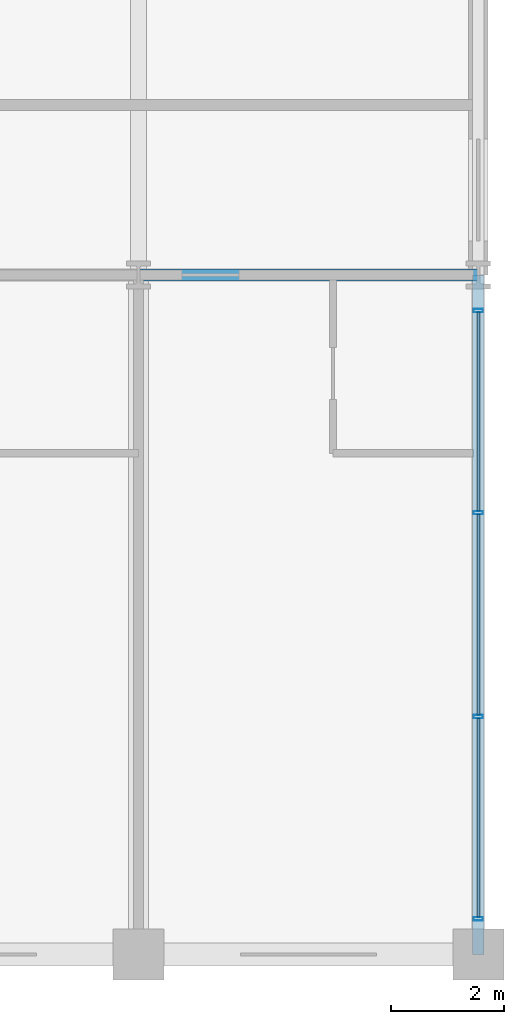
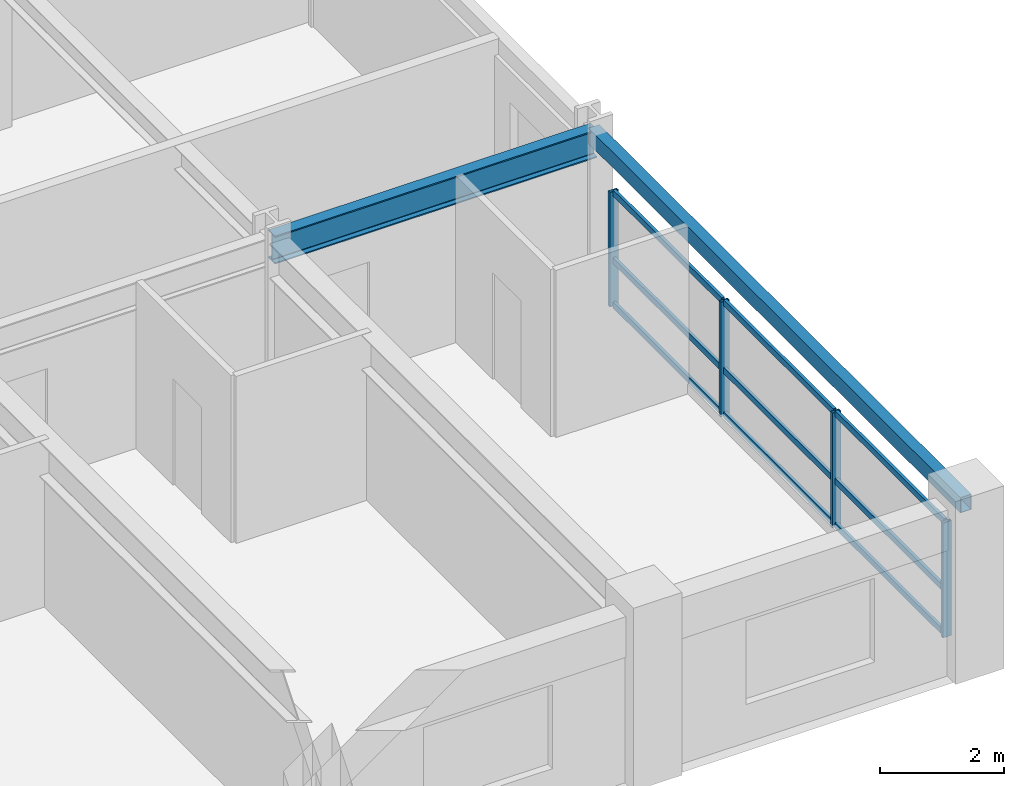
# One storey, part 12 of 22: 13 members, 2 beams, 1 element without a shape of its own.
"""IFC4 building model written with IfcOpenShell, lengths in metres."""

import ifcopenshell
import ifcopenshell.guid

model = None  # the IFC model being written
_history = None  # IfcOwnerHistory: only IFC2X3 demands one
_inside = {}  # id of a spatial element -> (the spatial element, [elements in it])
_under = {}  # id of a project, library or spatial element -> (it, [spatial elements below it])
_declared = {}  # id of a project -> (the project, [libraries it declares])
_typed = {}  # id of a type object -> (the type object, [elements of that type])
_made_of = {}  # id of a material, layer set ... -> (it, [elements and type objects made of it])


def new_model(schema):
    """Start an empty IFC model of exactly this schema.

    Asked for "IFC4X3", IfcOpenShell would pick the latest addendum, in which some entities
    have other attributes; the version numbers below select the first issue.
    IFC2X3 requires an IfcOwnerHistory on every rooted entity: one is made here for all.
    """
    global model, _history
    if schema == "IFC4X3":
        model = ifcopenshell.file(schema_version=(4, 3, 0, 0))
    else:
        model = ifcopenshell.file(schema=schema)
    _inside.clear()
    _under.clear()
    _declared.clear()
    _typed.clear()
    _made_of.clear()
    _history = None
    if model.schema == "IFC2X3":
        org = make("IfcOrganization", Name="unknown")
        user = make(
            "IfcPersonAndOrganization",
            ThePerson=make("IfcPerson", FamilyName="unknown"),
            TheOrganization=org,
        )
        app = make(
            "IfcApplication",
            ApplicationDeveloper=org,
            Version="unknown",
            ApplicationFullName="unknown",
            ApplicationIdentifier="unknown",
        )
        _history = make(
            "IfcOwnerHistory",
            OwningUser=user,
            OwningApplication=app,
            ChangeAction="ADDED",
            CreationDate=0,
        )
    return model


def make(cls, **values):
    """One entity of the class cls with the attributes given. An attribute that is None is left unset."""
    return model.create_entity(
        cls, **{name: value for name, value in values.items() if value is not None}
    )


def rooted(cls, **values):
    """An entity with a GlobalId (a new one), such as an element, a storey or a relation."""
    return make(cls, GlobalId=ifcopenshell.guid.new(), OwnerHistory=_history, **values)


def si_unit(unit_type, name, prefix=None):
    """IfcSIUnit, for example si_unit("LENGTHUNIT", "METRE", prefix="MILLI")."""
    return make("IfcSIUnit", UnitType=unit_type, Prefix=prefix, Name=name)


def assignment(units):
    """IfcUnitAssignment: the units of a project."""
    return None if units is None else make("IfcUnitAssignment", Units=units)


def point(xyz):
    """IfcCartesianPoint."""
    return None if xyz is None else make("IfcCartesianPoint", Coordinates=xyz)


def direction(xyz):
    """IfcDirection."""
    return None if xyz is None else make("IfcDirection", DirectionRatios=xyz)


def frame(location, z_axis=None, x_axis=None):
    """IfcAxis2Placement3D, a coordinate frame: its origin and axes. An axis left out is left unset."""
    return make(
        "IfcAxis2Placement3D",
        Location=point(location),
        Axis=direction(z_axis),
        RefDirection=direction(x_axis),
    )


def frame_2d(location, x_axis=None):
    """IfcAxis2Placement2D, a coordinate frame in the plane: its origin and x axis."""
    return make(
        "IfcAxis2Placement2D", Location=point(location), RefDirection=direction(x_axis)
    )


def origin():
    """The frame at (0, 0, 0) with its axes left unset."""
    return frame((0.0, 0.0, 0.0))


def origin_2d():
    """The frame at (0, 0) in the plane with its x axis left unset."""
    return frame_2d((0.0, 0.0))


def place(relative_to, where):
    """IfcLocalPlacement: puts the frame where relative to a parent placement (None: the world)."""
    return make(
        "IfcLocalPlacement", PlacementRelTo=relative_to, RelativePlacement=where
    )


def context(
    kind, dimensions, precision=None, world=None, true_north=None, identifier=None
):
    """IfcGeometricRepresentationContext, for example the 3D "Model" context."""
    return make(
        "IfcGeometricRepresentationContext",
        ContextIdentifier=identifier,
        ContextType=kind,
        CoordinateSpaceDimension=dimensions,
        Precision=precision,
        WorldCoordinateSystem=world,
        TrueNorth=true_north,
    )


def subcontext(parent, identifier, kind, view, scale=None):
    """IfcGeometricRepresentationSubContext, for example "Body" below "Model"."""
    return make(
        "IfcGeometricRepresentationSubContext",
        ContextIdentifier=identifier,
        ContextType=kind,
        ParentContext=parent,
        TargetScale=scale,
        TargetView=view,
    )


def project(units=None, contexts=None):
    """IfcProject with its units and contexts."""
    return rooted(
        "IfcProject",
        Name="project",
        RepresentationContexts=contexts,
        UnitsInContext=assignment(units),
    )


def spatial(cls, under=None, at=None, **own):
    """A site, building, storey or space (cls), placed at a placement, below another one or the project."""
    s = rooted(cls, ObjectPlacement=at, **own)
    if under is not None:
        _under.setdefault(under.id(), (under, []))[1].append(s)
    return s


def profile(cls, at=None, kind="AREA", **sizes):
    """A parametric profile (cls). Its sizes go by their IFC names, for example OverallWidth=200.0."""
    return make(cls, ProfileType=kind, Position=at, **sizes)


def hollow_rectangle(**sizes):
    """IfcRectangleHollowProfileDef."""
    return profile("IfcRectangleHollowProfileDef", **sizes)


def i_section(**sizes):
    """IfcIShapeProfileDef."""
    return profile("IfcIShapeProfileDef", **sizes)


def extrude(swept, where, along, depth):
    """IfcExtrudedAreaSolid: the profile swept, set in the frame where, extruded along a direction by depth."""
    return make(
        "IfcExtrudedAreaSolid",
        SweptArea=swept,
        Position=where,
        ExtrudedDirection=direction(along),
        Depth=depth,
    )


def shape(context_of_items, identifier, shape_type, items):
    """IfcShapeRepresentation: the items that make up one representation, for example the "Body"."""
    return make(
        "IfcShapeRepresentation",
        ContextOfItems=context_of_items,
        RepresentationIdentifier=identifier,
        RepresentationType=shape_type,
        Items=items,
    )


def material(Name=None, Category=None):
    """IfcMaterial."""
    return make("IfcMaterial", Name=Name, Category=Category)


def material_profile(
    of_material, cross_section, Name=None, Category=None, Priority=None
):
    """IfcMaterialProfile: a cross section and its material."""
    return make(
        "IfcMaterialProfile",
        Name=Name,
        Material=of_material,
        Profile=cross_section,
        Priority=Priority,
        Category=Category,
    )


def profile_set(profiles, Name=None, composite=None):
    """IfcMaterialProfileSet."""
    return make(
        "IfcMaterialProfileSet",
        Name=Name,
        MaterialProfiles=profiles,
        CompositeProfile=composite,
    )


def made_of(thing, what):
    """Note that an element or type object is made of a material, layer set ...; save() writes the relation."""
    if what is not None:
        _made_of.setdefault(what.id(), (what, []))[1].append(thing)
    return thing


def type_object(cls, material=None, **own):
    """A type object (cls), such as IfcWallType, which elements share."""
    return made_of(rooted(cls, **own), material)


def element(
    cls,
    number,
    at=None,
    inside=None,
    cuts=None,
    type_object=None,
    material=None,
    context=None,
    identifier="Body",
    shape_type=None,
    held_by="IfcProductDefinitionShape",
    body=None,
    shapes=None,
    **own,
):
    """One element of the class cls, such as IfcWall. Its Tag is "e" and its number.

    at: its placement. inside: the storey or other place that contains it. cuts: it is an
    opening in that element (IfcRelVoidsElement). A single representation is given by context,
    identifier, shape_type and body (its items); several are given by shapes. held_by: the class
    of the entity that holds the representations. save() writes the other relations.
    """
    e = rooted(cls, Tag="e%d" % number, ObjectPlacement=at, **own)
    if body is not None:
        shapes = [shape(context, identifier, shape_type, body)]
    if shapes is not None:
        e.Representation = make(held_by, Representations=shapes)
    if inside is not None:
        _inside.setdefault(inside.id(), (inside, []))[1].append(e)
    if cuts is not None:
        rooted(
            "IfcRelVoidsElement", RelatingBuildingElement=cuts, RelatedOpeningElement=e
        )
    if type_object is not None:
        _typed.setdefault(type_object.id(), (type_object, []))[1].append(e)
    return made_of(e, material)


def aggregate(whole, parts):
    """IfcRelAggregates: a whole, such as a stair, and the parts it consists of."""
    return rooted("IfcRelAggregates", RelatingObject=whole, RelatedObjects=parts)


def save(model, path):
    """Write the relations noted so far, then the file.

    IfcRelAggregates (storeys below a building ...), IfcRelContainedInSpatialStructure (elements
    in a storey), IfcRelDefinesByType, IfcRelAssociatesMaterial and IfcRelDeclares: one each for
    every whole, place, type object, material and project.
    """
    for whole, parts in _under.values():
        aggregate(whole, parts)
    for where, things in _inside.values():
        rooted(
            "IfcRelContainedInSpatialStructure",
            RelatedElements=things,
            RelatingStructure=where,
        )
    for kind, things in _typed.values():
        rooted("IfcRelDefinesByType", RelatedObjects=things, RelatingType=kind)
    for what, things in _made_of.values():
        rooted("IfcRelAssociatesMaterial", RelatedObjects=things, RelatingMaterial=what)
    for by, libraries in _declared.values():
        rooted("IfcRelDeclares", RelatingContext=by, RelatedDefinitions=libraries)
    model.write(path)


model = new_model("IFC4")

# Units and contexts
model_context = context("Model", 3, precision=1e-05, world=origin(), true_north=direction((0.0, 1.0)))
body_context = subcontext(model_context, "Body", "Model", "MODEL_VIEW")
ifc_project = project(units=[si_unit("LENGTHUNIT", "METRE"), si_unit("AREAUNIT", "SQUARE_METRE"), si_unit("VOLUMEUNIT", "CUBIC_METRE"), si_unit("PLANEANGLEUNIT", "RADIAN"), si_unit("MASSUNIT", "GRAM", prefix="KILO")], contexts=[model_context])

# Site, building, storey
site_placement = place(None, origin())
site = spatial("IfcSite", under=ifc_project, at=site_placement, CompositionType="ELEMENT")
building_placement = place(site_placement, origin())
building = spatial("IfcBuilding", under=site, at=building_placement, Name="Kaldorvane Square Convention Centre", CompositionType="ELEMENT")
storey_placement = place(building_placement, frame((0.0, 0.0, 31.199996948242188)))
storey = spatial("IfcBuildingStorey", under=building, at=storey_placement, Name="L06", CompositionType="ELEMENT", Elevation=31.199996948242188)

# Beams
ifc_material_1 = material(Name="Steel ASTM A992 Gr. 50", Category="steel")
ifc_material_profile_1 = material_profile(ifc_material_1, i_section(OverallWidth=0.213897705078125, OverallDepth=0.549102783203125, WebThickness=0.0146942138671875, FlangeThickness=0.0236053466796875, FilletRadius=0.0126953125, at=origin_2d()), Name="W21X93")
ifc_profile_set_1 = profile_set([ifc_material_profile_1], Name="Steel ASTM A992 Gr. 50")
beam_type_1 = type_object("IfcBeamType", Name="BM-GR-W21X93", PredefinedType="BEAM", material=ifc_profile_set_1)
beam_1_placement = place(storey_placement, frame((90.0, 96.0, 3.0113983154296875), z_axis=(1.0, 0.0, 0.0), x_axis=(0.0, 1.0, 0.0)))
element("IfcBeam", 1, at=beam_1_placement, inside=storey, type_object=beam_type_1, Name="Primary Girder (L06)", PredefinedType="BEAM", context=body_context, shape_type="SweptSolid", body=[
    extrude(i_section(OverallWidth=0.213897705078125, OverallDepth=0.549102783203125, WebThickness=0.0146942138671875, FlangeThickness=0.0236053466796875, FilletRadius=0.0126953125, at=origin_2d()), origin(), (0.0, 0.0, 1.0), 6.0),
])
ifc_material_2 = material(Name="Steel ASTM A500 Gr. C", Category="steel")
ifc_material_profile_2 = material_profile(ifc_material_2, hollow_rectangle(XDim=0.2032012939453125, YDim=0.3047943115234375, WallThickness=0.0088958740234375, at=origin_2d()), Name="HSS12X8X3/8")
ifc_profile_set_2 = profile_set([ifc_material_profile_2], Name="Steel ASTM A500 Gr. C")
beam_type_2 = type_object("IfcBeamType", Name="BM-SP-HSS12", PredefinedType="SPANDREL", material=ifc_profile_set_2)
beam_2_placement = place(storey_placement, frame((96.0, 84.0, 3.13360595703125), z_axis=(0.0, 1.0, 0.0), x_axis=(-1.0, 0.0, 0.0)))
element("IfcBeam", 2, at=beam_2_placement, inside=storey, type_object=beam_type_2, Name="End Spandrel (L06)", PredefinedType="SPANDREL", context=body_context, shape_type="SweptSolid", body=[
    extrude(hollow_rectangle(XDim=0.2032012939453125, YDim=0.3047943115234375, WallThickness=0.0088958740234375, at=origin_2d()), origin(), (0.0, 0.0, 1.0), 12.0),
])

# Curtain wall, members
ifc_material_3 = material(Name="Anodized Aluminum and Low-E Insulated Glazing", Category="aluminium")
curtain_wall_type = type_object("IfcCurtainWallType", Name="CW-UNI-HTL-A", PredefinedType="USERDEFINED", material=ifc_material_3)
curtain_wall_placement = place(storey_placement, origin())
curtain_wall = element("IfcCurtainWall", 3, at=curtain_wall_placement, inside=storey, type_object=curtain_wall_type, Name="Curtain Wall CW-10 (L06)", ObjectType="UNITISED GLAZING", PredefinedType="USERDEFINED")
ifc_material_profile_3 = material_profile(ifc_material_3, hollow_rectangle(XDim=0.05999755859375, YDim=0.160003662109375, WallThickness=0.003204345703125, at=origin_2d()), Name="CWM-160X60")
ifc_profile_set_3 = profile_set([ifc_material_profile_3], Name="Anodized Aluminum and Low-E Insulated Glazing")
member_type_1 = type_object("IfcMemberType", Name="CW-MUL-160", PredefinedType="MULLION", material=ifc_profile_set_3)
member_1_placement = place(storey_placement, frame((96.0, 84.6300048828125, 0.1500091552734375), z_axis=(0.0, 0.0, 1.0), x_axis=(0.0, 1.0, 0.0)))
member_1 = element("IfcMember", 4, at=member_1_placement, type_object=member_type_1, Name="CW-10 mullion 1", PredefinedType="MULLION", context=body_context, shape_type="SweptSolid", body=[
    extrude(hollow_rectangle(XDim=0.05999755859375, YDim=0.160003662109375, WallThickness=0.003204345703125, at=origin_2d()), origin(), (0.0, 0.0, 1.0), 2.2599945068359375),
])
member_2_placement = place(storey_placement, frame((96.0, 88.19999694824219, 0.1500091552734375), z_axis=(0.0, 0.0, 1.0), x_axis=(0.0, 1.0, 0.0)))
member_2 = element("IfcMember", 5, at=member_2_placement, type_object=member_type_1, Name="CW-10 mullion 2", PredefinedType="MULLION", context=body_context, shape_type="SweptSolid", body=[
    extrude(hollow_rectangle(XDim=0.05999755859375, YDim=0.160003662109375, WallThickness=0.003204345703125, at=origin_2d()), origin(), (0.0, 0.0, 1.0), 2.2599945068359375),
])
member_3_placement = place(storey_placement, frame((96.0, 91.80000305175781, 0.1500091552734375), z_axis=(0.0, 0.0, 1.0), x_axis=(0.0, 1.0, 0.0)))
member_3 = element("IfcMember", 6, at=member_3_placement, type_object=member_type_1, Name="CW-10 mullion 3", PredefinedType="MULLION", context=body_context, shape_type="SweptSolid", body=[
    extrude(hollow_rectangle(XDim=0.05999755859375, YDim=0.160003662109375, WallThickness=0.003204345703125, at=origin_2d()), origin(), (0.0, 0.0, 1.0), 2.2599945068359375),
])
member_4_placement = place(storey_placement, frame((96.0, 95.3699951171875, 0.1500091552734375), z_axis=(0.0, 0.0, 1.0), x_axis=(0.0, 1.0, 0.0)))
member_4 = element("IfcMember", 7, at=member_4_placement, type_object=member_type_1, Name="CW-10 mullion 4", PredefinedType="MULLION", context=body_context, shape_type="SweptSolid", body=[
    extrude(hollow_rectangle(XDim=0.05999755859375, YDim=0.160003662109375, WallThickness=0.003204345703125, at=origin_2d()), origin(), (0.0, 0.0, 1.0), 2.2599945068359375),
])
ifc_material_profile_4 = material_profile(ifc_material_3, hollow_rectangle(XDim=0.05499267578125, YDim=0.1199951171875, WallThickness=0.0030059814453125, at=origin_2d()), Name="CWT-120X55")
ifc_profile_set_4 = profile_set([ifc_material_profile_4], Name="Anodized Aluminum and Low-E Insulated Glazing")
member_type_2 = type_object("IfcMemberType", Name="CW-TRN-120", PredefinedType="USERDEFINED", material=ifc_profile_set_4)
member_5_placement = place(storey_placement, frame((96.0, 84.66000366210938, 0.1775054931640625), z_axis=(0.0, 1.0, 0.0), x_axis=(-1.0, 0.0, 0.0)))
member_5 = element("IfcMember", 8, at=member_5_placement, type_object=member_type_2, Name="CW-10 transom 1.1", ObjectType="TRANSOM", PredefinedType="USERDEFINED", context=body_context, shape_type="SweptSolid", body=[
    extrude(hollow_rectangle(XDim=0.05499267578125, YDim=0.1199951171875, WallThickness=0.0030059814453125, at=origin_2d()), origin(), (0.0, 0.0, 1.0), 3.5099945068359375),
])
member_6_placement = place(storey_placement, frame((96.0, 84.66000366210938, 1.0500030517578125), z_axis=(0.0, 1.0, 0.0), x_axis=(-1.0, 0.0, 0.0)))
member_6 = element("IfcMember", 9, at=member_6_placement, type_object=member_type_2, Name="CW-10 transom 1.2", ObjectType="TRANSOM", PredefinedType="USERDEFINED", context=body_context, shape_type="SweptSolid", body=[
    extrude(hollow_rectangle(XDim=0.05499267578125, YDim=0.1199951171875, WallThickness=0.0030059814453125, at=origin_2d()), origin(), (0.0, 0.0, 1.0), 3.5099945068359375),
])
member_7_placement = place(storey_placement, frame((96.0, 84.66000366210938, 2.38250732421875), z_axis=(0.0, 1.0, 0.0), x_axis=(-1.0, 0.0, 0.0)))
member_7 = element("IfcMember", 10, at=member_7_placement, type_object=member_type_2, Name="CW-10 transom 1.3", ObjectType="TRANSOM", PredefinedType="USERDEFINED", context=body_context, shape_type="SweptSolid", body=[
    extrude(hollow_rectangle(XDim=0.05499267578125, YDim=0.1199951171875, WallThickness=0.0030059814453125, at=origin_2d()), origin(), (0.0, 0.0, 1.0), 3.5099945068359375),
])
member_8_placement = place(storey_placement, frame((96.0, 88.22999572753906, 0.1775054931640625), z_axis=(0.0, 1.0, 0.0), x_axis=(-1.0, 0.0, 0.0)))
member_8 = element("IfcMember", 11, at=member_8_placement, type_object=member_type_2, Name="CW-10 transom 2.1", ObjectType="TRANSOM", PredefinedType="USERDEFINED", context=body_context, shape_type="SweptSolid", body=[
    extrude(hollow_rectangle(XDim=0.05499267578125, YDim=0.1199951171875, WallThickness=0.0030059814453125, at=origin_2d()), origin(), (0.0, 0.0, 1.0), 3.540008544921875),
])
member_9_placement = place(storey_placement, frame((96.0, 88.22999572753906, 1.0500030517578125), z_axis=(0.0, 1.0, 0.0), x_axis=(-1.0, 0.0, 0.0)))
member_9 = element("IfcMember", 12, at=member_9_placement, type_object=member_type_2, Name="CW-10 transom 2.2", ObjectType="TRANSOM", PredefinedType="USERDEFINED", context=body_context, shape_type="SweptSolid", body=[
    extrude(hollow_rectangle(XDim=0.05499267578125, YDim=0.1199951171875, WallThickness=0.0030059814453125, at=origin_2d()), origin(), (0.0, 0.0, 1.0), 3.540008544921875),
])
member_10_placement = place(storey_placement, frame((96.0, 88.22999572753906, 2.38250732421875), z_axis=(0.0, 1.0, 0.0), x_axis=(-1.0, 0.0, 0.0)))
member_10 = element("IfcMember", 13, at=member_10_placement, type_object=member_type_2, Name="CW-10 transom 2.3", ObjectType="TRANSOM", PredefinedType="USERDEFINED", context=body_context, shape_type="SweptSolid", body=[
    extrude(hollow_rectangle(XDim=0.05499267578125, YDim=0.1199951171875, WallThickness=0.0030059814453125, at=origin_2d()), origin(), (0.0, 0.0, 1.0), 3.540008544921875),
])
member_11_placement = place(storey_placement, frame((96.0, 91.83000183105469, 0.1775054931640625), z_axis=(0.0, 1.0, 0.0), x_axis=(-1.0, 0.0, 0.0)))
member_11 = element("IfcMember", 14, at=member_11_placement, type_object=member_type_2, Name="CW-10 transom 3.1", ObjectType="TRANSOM", PredefinedType="USERDEFINED", context=body_context, shape_type="SweptSolid", body=[
    extrude(hollow_rectangle(XDim=0.05499267578125, YDim=0.1199951171875, WallThickness=0.0030059814453125, at=origin_2d()), origin(), (0.0, 0.0, 1.0), 3.5099945068359375),
])
member_12_placement = place(storey_placement, frame((96.0, 91.83000183105469, 1.0500030517578125), z_axis=(0.0, 1.0, 0.0), x_axis=(-1.0, 0.0, 0.0)))
member_12 = element("IfcMember", 15, at=member_12_placement, type_object=member_type_2, Name="CW-10 transom 3.2", ObjectType="TRANSOM", PredefinedType="USERDEFINED", context=body_context, shape_type="SweptSolid", body=[
    extrude(hollow_rectangle(XDim=0.05499267578125, YDim=0.1199951171875, WallThickness=0.0030059814453125, at=origin_2d()), origin(), (0.0, 0.0, 1.0), 3.5099945068359375),
])
member_13_placement = place(storey_placement, frame((96.0, 91.83000183105469, 2.38250732421875), z_axis=(0.0, 1.0, 0.0), x_axis=(-1.0, 0.0, 0.0)))
member_13 = element("IfcMember", 16, at=member_13_placement, type_object=member_type_2, Name="CW-10 transom 3.3", ObjectType="TRANSOM", PredefinedType="USERDEFINED", context=body_context, shape_type="SweptSolid", body=[
    extrude(hollow_rectangle(XDim=0.05499267578125, YDim=0.1199951171875, WallThickness=0.0030059814453125, at=origin_2d()), origin(), (0.0, 0.0, 1.0), 3.5099945068359375),
])
aggregate(curtain_wall, [member_1, member_2, member_3, member_4, member_5, member_6, member_7, member_8, member_9, member_10, member_11, member_12, member_13])

save(model, "model.ifc")
